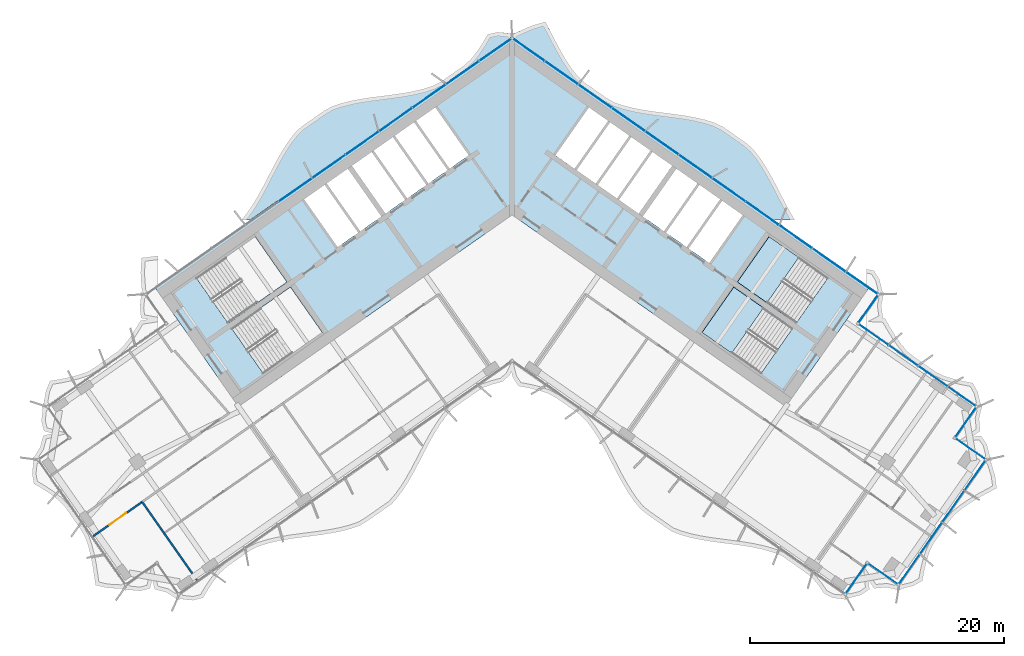
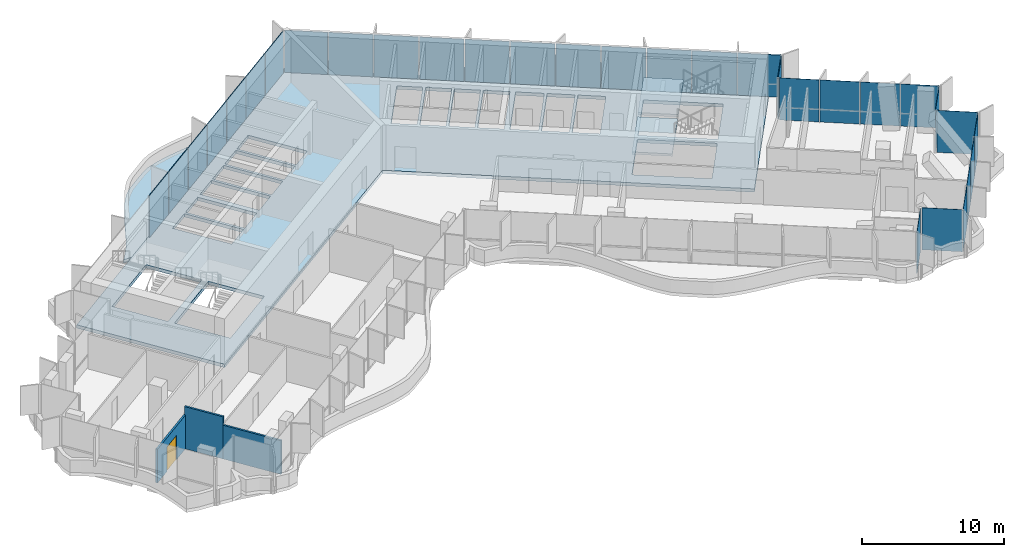
# One storey, part 13 of 23: 31 plates, 4 slabs, 3 walls, 1 door, 1 opening, 4 elements without a shape of their own.
"""IFC4 building model written with IfcOpenShell, lengths in metres."""

from ifc_helpers import new_model, si_unit, direction, frame, frame_2d, origin, origin_2d, place, context, subcontext, project, spatial, polyline, rectangle, outline, extrude, material, layer, layer_set, type_object, element, fill, aggregate, save


model = new_model("IFC4")

# Units and contexts
model_context = context("Model", 3, precision=1e-05, world=origin(), true_north=direction((0.0, 1.0)))
body_context = subcontext(model_context, "Body", "Model", "MODEL_VIEW")
ifc_project = project(units=[si_unit("LENGTHUNIT", "METRE"), si_unit("AREAUNIT", "SQUARE_METRE"), si_unit("VOLUMEUNIT", "CUBIC_METRE"), si_unit("PLANEANGLEUNIT", "RADIAN"), si_unit("MASSUNIT", "GRAM", prefix="KILO")], contexts=[model_context])

# Site, building, storey
site_placement = place(None, origin())
site = spatial("IfcSite", under=ifc_project, at=site_placement, CompositionType="ELEMENT")
building_placement = place(site_placement, origin())
building = spatial("IfcBuilding", under=site, at=building_placement, Name="Tel Ilan Convention Tower", CompositionType="ELEMENT")
storey_placement = place(building_placement, frame((0.0, 0.0, 186.60009765625)))
storey = spatial("IfcBuildingStorey", under=building, at=storey_placement, Name="L43", CompositionType="ELEMENT", Elevation=186.60009765625)

# Curtain wall, plates
ifc_material_1 = material(Name="Aluminium, bronze anodised", Category="aluminium")
curtain_wall_type_1 = type_object("IfcCurtainWallType", Name="CW4 STICK CURTAIN WALL, OFFICE TINTED GLASS", PredefinedType="NOTDEFINED", material=ifc_material_1)
curtain_wall_1_placement = place(storey_placement, origin())
curtain_wall_1 = element("IfcCurtainWall", 1, at=curtain_wall_1_placement, inside=storey, type_object=curtain_wall_type_1, Name="Curtain wall CW4-33.02", PredefinedType="NOTDEFINED")
ifc_material_2 = material(Name="Glass, bronze tinted, two-ply", Category="glass")
ifc_layer_1 = layer(ifc_material_2, 0.028076171875)
ifc_layer_set_1 = layer_set([ifc_layer_1], Name="CW GLASS PANEL 28")
plate_type_1 = type_object("IfcPlateType", Name="CW GLASS PANEL 28", PredefinedType="CURTAIN_PANEL", material=ifc_layer_set_1)
plate_1_placement = place(storey_placement, frame((27.065673828125, -29.863525390625, -0.000244140625), z_axis=(0.0, 0.0, 1.0), x_axis=(0.573576436351, 0.819152044289, 0.0)))
plate_1 = element("IfcPlate", 2, at=plate_1_placement, type_object=plate_type_1, Name="Glass panel", PredefinedType="CURTAIN_PANEL", context=body_context, shape_type="SweptSolid", body=[
    extrude(rectangle(XDim=2.875, YDim=0.028076171875, at=origin_2d()), origin(), (0.0, 0.0, 1.0), 3.6201171875),
])
plate_2_placement = place(storey_placement, frame((29.20849609375, -29.48583984375, -0.000244140625), z_axis=(0.0, 0.0, 1.0), x_axis=(0.819152044289, -0.573576436351, 0.0)))
plate_2 = element("IfcPlate", 3, at=plate_2_placement, type_object=plate_type_1, Name="Glass panel", PredefinedType="CURTAIN_PANEL", context=body_context, shape_type="SweptSolid", body=[
    extrude(rectangle(XDim=2.875, YDim=0.028076171875, at=origin_2d()), origin(), (0.0, 0.0, 1.0), 3.6201171875),
])
plate_3_placement = place(storey_placement, frame((31.25, -29.1181640625, -0.000244140625), z_axis=(0.0, 0.0, 1.0), x_axis=(0.573576436351, 0.819152044289, 0.0)))
plate_3 = element("IfcPlate", 4, at=plate_3_placement, type_object=plate_type_1, Name="Glass panel", PredefinedType="CURTAIN_PANEL", context=body_context, shape_type="SweptSolid", body=[
    extrude(rectangle(XDim=2.89599609375, YDim=0.028076171875, at=origin_2d()), origin(), (0.0, 0.0, 1.0), 3.6201171875),
])
plate_4_placement = place(storey_placement, frame((32.972412109375, -26.658203125, -0.000244140625), z_axis=(0.0, 0.0, 1.0), x_axis=(0.573576436351, 0.819152044289, 0.0)))
plate_4 = element("IfcPlate", 5, at=plate_4_placement, type_object=plate_type_1, Name="Glass panel", PredefinedType="CURTAIN_PANEL", context=body_context, shape_type="SweptSolid", body=[
    extrude(rectangle(XDim=2.989990234375, YDim=0.028076171875, at=origin_2d()), origin(), (0.0, 0.0, 1.0), 3.6201171875),
])
plate_5_placement = place(storey_placement, frame((34.721923828125, -24.159912109375, -0.000244140625), z_axis=(0.0, 0.0, 1.0), x_axis=(0.573576436351, 0.819152044289, 0.0)))
plate_5 = element("IfcPlate", 6, at=plate_5_placement, type_object=plate_type_1, Name="Glass panel", PredefinedType="CURTAIN_PANEL", context=body_context, shape_type="SweptSolid", body=[
    extrude(rectangle(XDim=2.989990234375, YDim=0.028076171875, at=origin_2d()), origin(), (0.0, 0.0, 1.0), 3.6201171875),
])
plate_6_placement = place(storey_placement, frame((36.4443359375, -21.699951171875, -0.000244140625), z_axis=(0.0, 0.0, 1.0), x_axis=(0.573576436351, 0.819152044289, 0.0)))
plate_6 = element("IfcPlate", 7, at=plate_6_placement, type_object=plate_type_1, Name="Glass panel", PredefinedType="CURTAIN_PANEL", context=body_context, shape_type="SweptSolid", body=[
    extrude(rectangle(XDim=2.89599609375, YDim=0.028076171875, at=origin_2d()), origin(), (0.0, 0.0, 1.0), 3.6201171875),
])
plate_7_placement = place(storey_placement, frame((36.09130859375, -19.656005859375, -0.000244140625), z_axis=(0.0, 0.0, 1.0), x_axis=(-0.819152044289, 0.573576436351, 0.0)))
plate_7 = element("IfcPlate", 8, at=plate_7_placement, type_object=plate_type_1, Name="Glass panel", PredefinedType="CURTAIN_PANEL", context=body_context, shape_type="SweptSolid", body=[
    extrude(rectangle(XDim=2.875, YDim=0.028076171875, at=origin_2d()), origin(), (0.0, 0.0, 1.0), 3.6201171875),
])
plate_8_placement = place(storey_placement, frame((35.713623046875, -17.51318359375, -0.000244140625), z_axis=(0.0, 0.0, 1.0), x_axis=(0.573576436351, 0.819152044289, 0.0)))
plate_8 = element("IfcPlate", 9, at=plate_8_placement, type_object=plate_type_1, Name="Glass panel", PredefinedType="CURTAIN_PANEL", context=body_context, shape_type="SweptSolid", body=[
    extrude(rectangle(XDim=2.875, YDim=0.028076171875, at=origin_2d()), origin(), (0.0, 0.0, 1.0), 3.6201171875),
])
plate_9_placement = place(storey_placement, frame((35.427978515625, -15.529052734375, -0.000244140625), z_axis=(0.0, 0.0, 1.0), x_axis=(-0.819152044289, 0.573576436351, 0.0)))
plate_9 = element("IfcPlate", 10, at=plate_9_placement, type_object=plate_type_1, Name="Glass panel", PredefinedType="CURTAIN_PANEL", context=body_context, shape_type="SweptSolid", body=[
    extrude(rectangle(XDim=2.696044921875, YDim=0.028076171875, at=origin_2d()), origin(), (0.0, 0.0, 1.0), 3.6201171875),
])
plate_10_placement = place(storey_placement, frame((33.1318359375, -13.92138671875, -0.000244140625), z_axis=(0.0, 0.0, 1.0), x_axis=(-0.819152044289, 0.573576436351, 0.0)))
plate_10 = element("IfcPlate", 11, at=plate_10_placement, type_object=plate_type_1, Name="Glass panel", PredefinedType="CURTAIN_PANEL", context=body_context, shape_type="SweptSolid", body=[
    extrude(rectangle(XDim=2.7900390625, YDim=0.028076171875, at=origin_2d()), origin(), (0.0, 0.0, 1.0), 3.6201171875),
])
plate_11_placement = place(storey_placement, frame((30.79736328125, -12.28662109375, -0.000244140625), z_axis=(0.0, 0.0, 1.0), x_axis=(-0.819152044289, 0.573576436351, 0.0)))
plate_11 = element("IfcPlate", 12, at=plate_11_placement, type_object=plate_type_1, Name="Glass panel", PredefinedType="CURTAIN_PANEL", context=body_context, shape_type="SweptSolid", body=[
    extrude(rectangle(XDim=2.7900390625, YDim=0.028076171875, at=origin_2d()), origin(), (0.0, 0.0, 1.0), 3.6201171875),
])
plate_12_placement = place(storey_placement, frame((28.450927734375, -10.6435546875, -0.000244140625), z_axis=(0.0, 0.0, 1.0), x_axis=(-0.819152044289, 0.573576436351, 0.0)))
plate_12 = element("IfcPlate", 13, at=plate_12_placement, type_object=plate_type_1, Name="Glass panel", PredefinedType="CURTAIN_PANEL", context=body_context, shape_type="SweptSolid", body=[
    extrude(rectangle(XDim=2.819091796875, YDim=0.028076171875, at=origin_2d()), origin(), (0.0, 0.0, 1.0), 3.6201171875),
])
aggregate(curtain_wall_1, [plate_1, plate_2, plate_3, plate_4, plate_5, plate_6, plate_7, plate_8, plate_9, plate_10, plate_11, plate_12])

ifc_material_3 = material(Name="Aluminium, bronze anodised", Category="aluminium")
curtain_wall_type_2 = type_object("IfcCurtainWallType", Name="CW2 STICK CURTAIN WALL, SPANDREL PANELS", PredefinedType="NOTDEFINED", material=ifc_material_3)
curtain_wall_2_placement = place(storey_placement, origin())
curtain_wall_2 = element("IfcCurtainWall", 14, at=curtain_wall_2_placement, inside=storey, type_object=curtain_wall_type_2, Name="Curtain wall CW2-33.01", PredefinedType="NOTDEFINED")
ifc_material_4 = material(Name="Aluminium composite panel, bronze anodised", Category="aluminium")
ifc_layer_2 = layer(ifc_material_4, 0.06005859375)
ifc_layer_set_2 = layer_set([ifc_layer_2], Name="CW SPANDREL PANEL 60")
plate_type_2 = type_object("IfcPlateType", Name="CW SPANDREL PANEL 60", PredefinedType="CURTAIN_PANEL", material=ifc_layer_set_2)
plate_13_placement = place(storey_placement, frame((28.033935546875, -8.60546875, -0.000244140625), z_axis=(0.0, 0.0, 1.0), x_axis=(0.573576436351, 0.819152044289, 0.0)))
plate_13 = element("IfcPlate", 15, at=plate_13_placement, type_object=plate_type_2, Name="Spandrel panel", PredefinedType="CURTAIN_PANEL", context=body_context, shape_type="SweptSolid", body=[
    extrude(rectangle(XDim=2.658935546875, YDim=0.06005859375, at=origin_2d()), origin(), (0.0, 0.0, 1.0), 3.6201171875),
])
plate_14_placement = place(storey_placement, frame((27.5400390625, -6.587646484375, -0.000244140625), z_axis=(0.0, 0.0, 1.0), x_axis=(-0.819152044289, 0.573576436351, 0.0)))
plate_14 = element("IfcPlate", 16, at=plate_14_placement, type_object=plate_type_2, Name="Spandrel panel", PredefinedType="CURTAIN_PANEL", context=body_context, shape_type="SweptSolid", body=[
    extrude(rectangle(XDim=3.0439453125, YDim=0.06005859375, at=origin_2d()), origin(), (0.0, 0.0, 1.0), 3.6201171875),
])
plate_15_placement = place(storey_placement, frame((24.95263671875, -4.77587890625, -0.000244140625), z_axis=(0.0, 0.0, 1.0), x_axis=(-0.819152044289, 0.573576436351, 0.0)))
plate_15 = element("IfcPlate", 17, at=plate_15_placement, type_object=plate_type_2, Name="Spandrel panel", PredefinedType="CURTAIN_PANEL", context=body_context, shape_type="SweptSolid", body=[
    extrude(rectangle(XDim=3.15380859375, YDim=0.06005859375, at=origin_2d()), origin(), (0.0, 0.0, 1.0), 3.6201171875),
])
plate_16_placement = place(storey_placement, frame((22.31982421875, -2.9326171875, -0.000244140625), z_axis=(0.0, 0.0, 1.0), x_axis=(-0.819152044289, 0.573576436351, 0.0)))
plate_16 = element("IfcPlate", 18, at=plate_16_placement, type_object=plate_type_2, Name="Spandrel panel", PredefinedType="CURTAIN_PANEL", context=body_context, shape_type="SweptSolid", body=[
    extrude(rectangle(XDim=3.15380859375, YDim=0.06005859375, at=origin_2d()), origin(), (0.0, 0.0, 1.0), 3.6201171875),
])
plate_17_placement = place(storey_placement, frame((19.687255859375, -1.089111328125, -0.000244140625), z_axis=(0.0, 0.0, 1.0), x_axis=(-0.819152044289, 0.573576436351, 0.0)))
plate_17 = element("IfcPlate", 19, at=plate_17_placement, type_object=plate_type_2, Name="Spandrel panel", PredefinedType="CURTAIN_PANEL", context=body_context, shape_type="SweptSolid", body=[
    extrude(rectangle(XDim=3.15380859375, YDim=0.06005859375, at=origin_2d()), origin(), (0.0, 0.0, 1.0), 3.6201171875),
])
plate_18_placement = place(storey_placement, frame((17.0546875, 0.754150390625, -0.000244140625), z_axis=(0.0, 0.0, 1.0), x_axis=(-0.819152044289, 0.573576436351, 0.0)))
plate_18 = element("IfcPlate", 20, at=plate_18_placement, type_object=plate_type_2, Name="Spandrel panel", PredefinedType="CURTAIN_PANEL", context=body_context, shape_type="SweptSolid", body=[
    extrude(rectangle(XDim=3.15380859375, YDim=0.06005859375, at=origin_2d()), origin(), (0.0, 0.0, 1.0), 3.6201171875),
])
plate_19_placement = place(storey_placement, frame((14.422119140625, 2.59765625, -0.000244140625), z_axis=(0.0, 0.0, 1.0), x_axis=(-0.819152044289, 0.573576436351, 0.0)))
plate_19 = element("IfcPlate", 21, at=plate_19_placement, type_object=plate_type_2, Name="Spandrel panel", PredefinedType="CURTAIN_PANEL", context=body_context, shape_type="SweptSolid", body=[
    extrude(rectangle(XDim=3.15380859375, YDim=0.06005859375, at=origin_2d()), origin(), (0.0, 0.0, 1.0), 3.6201171875),
])
plate_20_placement = place(storey_placement, frame((11.789306640625, 4.44091796875, -0.000244140625), z_axis=(0.0, 0.0, 1.0), x_axis=(-0.819152044289, 0.573576436351, 0.0)))
plate_20 = element("IfcPlate", 22, at=plate_20_placement, type_object=plate_type_2, Name="Spandrel panel", PredefinedType="CURTAIN_PANEL", context=body_context, shape_type="SweptSolid", body=[
    extrude(rectangle(XDim=3.15380859375, YDim=0.06005859375, at=origin_2d()), origin(), (0.0, 0.0, 1.0), 3.6201171875),
])
plate_21_placement = place(storey_placement, frame((9.15673828125, 6.284423828125, -0.000244140625), z_axis=(0.0, 0.0, 1.0), x_axis=(-0.819152044289, 0.573576436351, 0.0)))
plate_21 = element("IfcPlate", 23, at=plate_21_placement, type_object=plate_type_2, Name="Spandrel panel", PredefinedType="CURTAIN_PANEL", context=body_context, shape_type="SweptSolid", body=[
    extrude(rectangle(XDim=3.15380859375, YDim=0.06005859375, at=origin_2d()), origin(), (0.0, 0.0, 1.0), 3.6201171875),
])
plate_22_placement = place(storey_placement, frame((6.524169921875, 8.127685546875, -0.000244140625), z_axis=(0.0, 0.0, 1.0), x_axis=(-0.819152044289, 0.573576436351, 0.0)))
plate_22 = element("IfcPlate", 24, at=plate_22_placement, type_object=plate_type_2, Name="Spandrel panel", PredefinedType="CURTAIN_PANEL", context=body_context, shape_type="SweptSolid", body=[
    extrude(rectangle(XDim=3.15380859375, YDim=0.06005859375, at=origin_2d()), origin(), (0.0, 0.0, 1.0), 3.6201171875),
])
plate_23_placement = place(storey_placement, frame((3.8916015625, 9.97119140625, -0.000244140625), z_axis=(0.0, 0.0, 1.0), x_axis=(-0.819152044289, 0.573576436351, 0.0)))
plate_23 = element("IfcPlate", 25, at=plate_23_placement, type_object=plate_type_2, Name="Spandrel panel", PredefinedType="CURTAIN_PANEL", context=body_context, shape_type="SweptSolid", body=[
    extrude(rectangle(XDim=3.15380859375, YDim=0.06005859375, at=origin_2d()), origin(), (0.0, 0.0, 1.0), 3.6201171875),
])
plate_24_placement = place(storey_placement, frame((1.303955078125, 11.782958984375, -0.000244140625), z_axis=(0.0, 0.0, 1.0), x_axis=(-0.819152044289, 0.573576436351, 0.0)))
plate_24 = element("IfcPlate", 26, at=plate_24_placement, type_object=plate_type_2, Name="Spandrel panel", PredefinedType="CURTAIN_PANEL", context=body_context, shape_type="SweptSolid", body=[
    extrude(rectangle(XDim=3.0439453125, YDim=0.06005859375, at=origin_2d()), origin(), (0.0, 0.0, 1.0), 3.6201171875),
])
plate_25_placement = place(storey_placement, frame((-1.303955078125, 11.782958984375, -0.000244140625), z_axis=(0.0, 0.0, 1.0), x_axis=(-0.819152044289, -0.573576436351, 0.0)))
plate_25 = element("IfcPlate", 27, at=plate_25_placement, type_object=plate_type_2, Name="Spandrel panel", PredefinedType="CURTAIN_PANEL", context=body_context, shape_type="SweptSolid", body=[
    extrude(rectangle(XDim=3.0439453125, YDim=0.06005859375, at=origin_2d()), origin(), (0.0, 0.0, 1.0), 3.6201171875),
])
plate_26_placement = place(storey_placement, frame((-3.8916015625, 9.97119140625, -0.000244140625), z_axis=(0.0, 0.0, 1.0), x_axis=(-0.819152044289, -0.573576436351, 0.0)))
plate_26 = element("IfcPlate", 28, at=plate_26_placement, type_object=plate_type_2, Name="Spandrel panel", PredefinedType="CURTAIN_PANEL", context=body_context, shape_type="SweptSolid", body=[
    extrude(rectangle(XDim=3.15380859375, YDim=0.06005859375, at=origin_2d()), origin(), (0.0, 0.0, 1.0), 3.6201171875),
])
plate_27_placement = place(storey_placement, frame((-6.524169921875, 8.127685546875, -0.000244140625), z_axis=(0.0, 0.0, 1.0), x_axis=(-0.819152044289, -0.573576436351, 0.0)))
plate_27 = element("IfcPlate", 29, at=plate_27_placement, type_object=plate_type_2, Name="Spandrel panel", PredefinedType="CURTAIN_PANEL", context=body_context, shape_type="SweptSolid", body=[
    extrude(rectangle(XDim=3.15380859375, YDim=0.06005859375, at=origin_2d()), origin(), (0.0, 0.0, 1.0), 3.6201171875),
])
plate_28_placement = place(storey_placement, frame((-9.15673828125, 6.284423828125, -0.000244140625), z_axis=(0.0, 0.0, 1.0), x_axis=(-0.819152044289, -0.573576436351, 0.0)))
plate_28 = element("IfcPlate", 30, at=plate_28_placement, type_object=plate_type_2, Name="Spandrel panel", PredefinedType="CURTAIN_PANEL", context=body_context, shape_type="SweptSolid", body=[
    extrude(rectangle(XDim=3.15380859375, YDim=0.06005859375, at=origin_2d()), origin(), (0.0, 0.0, 1.0), 3.6201171875),
])
plate_29_placement = place(storey_placement, frame((-11.789306640625, 4.44091796875, -0.000244140625), z_axis=(0.0, 0.0, 1.0), x_axis=(-0.819152044289, -0.573576436351, 0.0)))
plate_29 = element("IfcPlate", 31, at=plate_29_placement, type_object=plate_type_2, Name="Spandrel panel", PredefinedType="CURTAIN_PANEL", context=body_context, shape_type="SweptSolid", body=[
    extrude(rectangle(XDim=3.15380859375, YDim=0.06005859375, at=origin_2d()), origin(), (0.0, 0.0, 1.0), 3.6201171875),
])
plate_30_placement = place(storey_placement, frame((-14.422119140625, 2.59765625, -0.000244140625), z_axis=(0.0, 0.0, 1.0), x_axis=(-0.819152044289, -0.573576436351, 0.0)))
plate_30 = element("IfcPlate", 32, at=plate_30_placement, type_object=plate_type_2, Name="Spandrel panel", PredefinedType="CURTAIN_PANEL", context=body_context, shape_type="SweptSolid", body=[
    extrude(rectangle(XDim=3.15380859375, YDim=0.06005859375, at=origin_2d()), origin(), (0.0, 0.0, 1.0), 3.6201171875),
])
plate_31_placement = place(storey_placement, frame((-17.0546875, 0.754150390625, -0.000244140625), z_axis=(0.0, 0.0, 1.0), x_axis=(-0.819152044289, -0.573576436351, 0.0)))
plate_31 = element("IfcPlate", 33, at=plate_31_placement, type_object=plate_type_2, Name="Spandrel panel", PredefinedType="CURTAIN_PANEL", context=body_context, shape_type="SweptSolid", body=[
    extrude(rectangle(XDim=3.15380859375, YDim=0.06005859375, at=origin_2d()), origin(), (0.0, 0.0, 1.0), 3.6201171875),
])
aggregate(curtain_wall_2, [plate_13, plate_14, plate_15, plate_16, plate_17, plate_18, plate_19, plate_20, plate_21, plate_22, plate_23, plate_24, plate_25, plate_26, plate_27, plate_28, plate_29, plate_30, plate_31])

# Stair, slab
ifc_material_5 = material(Name="Concrete C40/50", Category="concrete")
stair_type = type_object("IfcStairType", Name="Pressurised Exit Stair 22 risers 177 mm", PredefinedType="HALF_TURN_STAIR", material=ifc_material_5)
stair_1_placement = place(storey_placement, origin())
stair_1 = element("IfcStair", 34, at=stair_1_placement, inside=storey, type_object=stair_type, Name="L43 Pressurised Stair S3", PredefinedType="HALF_TURN_STAIR")
ifc_material_6 = material(Name="Concrete C40/50", Category="concrete")
ifc_layer_3 = layer(ifc_material_6, 0.199951171875)
ifc_layer_set_3 = layer_set([ifc_layer_3], Name="Concrete Stair Landing 200 mm C40/50")
slab_type_1 = type_object("IfcSlabType", Name="Concrete Stair Landing 200 mm", PredefinedType="LANDING", material=ifc_layer_set_3)
slab_1_placement = place(storey_placement, frame((0.0, 0.0, 1.75)))
slab_1 = element("IfcSlab", 35, at=slab_1_placement, type_object=slab_type_1, Name="S3 landing 1", PredefinedType="LANDING", context=body_context, shape_type="SweptSolid", body=[
    extrude(outline(polyline([(22.561767578125, -4.566650390625), (20.226318359375, -2.931640625), (17.7314453125, -6.494873046875), (20.066650390625, -8.130126953125), (22.561767578125, -4.566650390625)])), origin(), (0.0, 0.0, 1.0), 0.199951171875),
])
aggregate(stair_1, [slab_1])

stair_2_placement = place(storey_placement, origin())
stair_2 = element("IfcStair", 36, at=stair_2_placement, inside=storey, type_object=stair_type, Name="L43 Pressurised Stair S4", PredefinedType="HALF_TURN_STAIR")
slab_2_placement = place(storey_placement, frame((0.0, 0.0, 1.75)))
slab_2 = element("IfcSlab", 37, at=slab_2_placement, type_object=slab_type_1, Name="S4 landing 1", PredefinedType="LANDING", context=body_context, shape_type="SweptSolid", body=[
    extrude(outline(polyline([(19.77978515625, -8.53955078125), (17.444580078125, -6.904541015625), (14.949462890625, -10.4677734375), (17.28466796875, -12.10302734375), (19.77978515625, -8.53955078125)])), origin(), (0.0, 0.0, 1.0), 0.199951171875),
])
aggregate(stair_2, [slab_2])

# Slabs
ifc_material_7 = material(Name="Concrete C40/50", Category="concrete")
ifc_layer_4 = layer(ifc_material_7, 0.280029296875)
ifc_layer_set_4 = layer_set([ifc_layer_4], Name="Core Floor Slab 280 mm C40/50")
slab_type_2 = type_object("IfcSlabType", Name="Core Floor Slab 280 mm C40/50", PredefinedType="FLOOR", material=ifc_layer_set_4)
slab_3_placement = place(storey_placement, frame((0.0, 0.0, -0.280029296875)))
element("IfcSlab", 38, at=slab_3_placement, inside=storey, type_object=slab_type_2, Name="L43 core floor 1", PredefinedType="FLOOR", context=body_context, shape_type="SweptSolid", body=[
    extrude(outline(polyline([(-28.1396484375, -6.885498046875), (0.0, 12.818115234375), (28.1396484375, -6.885498046875), (21.54345703125, -16.3056640625), (0.0, -1.220703125), (-21.54345703125, -16.3056640625), (-28.1396484375, -6.885498046875)]), holes=[polyline([(-14.949462890625, -10.4677734375), (-17.444580078125, -6.904541015625), (-22.072021484375, -10.144775390625), (-19.5771484375, -13.7080078125), (-14.949462890625, -10.4677734375)]), polyline([(-17.7314453125, -6.494873046875), (-20.226318359375, -2.931640625), (-24.85400390625, -6.171875), (-22.35888671875, -9.735107421875), (-17.7314453125, -6.494873046875)]), polyline([(-14.75048828125, 1.14697265625), (-16.368408203125, 0.01416015625), (-13.729736328125, -3.75390625), (-12.112060546875, -2.62109375), (-14.75048828125, 1.14697265625)]), polyline([(-12.927734375, 2.423095703125), (-14.586669921875, 1.26171875), (-11.947998046875, -2.506591796875), (-10.289306640625, -1.344970703125), (-12.927734375, 2.423095703125)]), polyline([(-11.053955078125, 3.735107421875), (-12.60009765625, 2.652587890625), (-9.961669921875, -1.115478515625), (-8.41552734375, -0.032958984375), (-11.053955078125, 3.735107421875)]), polyline([(-9.385009765625, 4.90380859375), (-10.89013671875, 3.849853515625), (-8.251708984375, 0.081787109375), (-6.74658203125, 1.1357421875), (-9.385009765625, 4.90380859375)]), polyline([(-7.716064453125, 6.072509765625), (-9.22119140625, 5.0185546875), (-6.582763671875, 1.25048828125), (-5.077392578125, 2.304443359375), (-7.716064453125, 6.072509765625)]), polyline([(-6.046875, 7.2412109375), (-7.552001953125, 6.187255859375), (-4.913818359375, 2.419189453125), (-3.408447265625, 3.47314453125), (-6.046875, 7.2412109375)]), polyline([(4.913818359375, 2.419189453125), (7.552001953125, 6.187255859375), (6.046875, 7.2412109375), (3.408447265625, 3.47314453125), (4.913818359375, 2.419189453125)]), polyline([(17.444580078125, -6.904541015625), (14.949462890625, -10.4677734375), (19.5771484375, -13.7080078125), (22.072021484375, -10.144775390625), (17.444580078125, -6.904541015625)]), polyline([(20.226318359375, -2.931640625), (17.7314453125, -6.494873046875), (22.35888671875, -9.735107421875), (24.85400390625, -6.171875), (20.226318359375, -2.931640625)]), polyline([(15.511474609375, -5.00146484375), (18.14990234375, -1.2333984375), (16.531982421875, -0.1005859375), (13.8935546875, -3.86865234375), (15.511474609375, -5.00146484375)]), polyline([(13.729736328125, -3.75390625), (16.368408203125, 0.01416015625), (14.75048828125, 1.14697265625), (12.112060546875, -2.62109375), (13.729736328125, -3.75390625)]), polyline([(11.947998046875, -2.506591796875), (14.586669921875, 1.26171875), (12.927734375, 2.423095703125), (10.289306640625, -1.344970703125), (11.947998046875, -2.506591796875)]), polyline([(9.961669921875, -1.115478515625), (12.60009765625, 2.652587890625), (11.053955078125, 3.735107421875), (8.41552734375, -0.032958984375), (9.961669921875, -1.115478515625)]), polyline([(6.74658203125, 1.1357421875), (8.251708984375, 0.081787109375), (10.89013671875, 3.849853515625), (9.385009765625, 4.90380859375), (6.74658203125, 1.1357421875)]), polyline([(5.077392578125, 2.304443359375), (6.582763671875, 1.25048828125), (9.22119140625, 5.0185546875), (7.716064453125, 6.072509765625), (5.077392578125, 2.304443359375)])]), origin(), (0.0, 0.0, 1.0), 0.280029296875),
])
ifc_material_8 = material(Name="Concrete C40/50", Category="concrete")
ifc_layer_5 = layer(ifc_material_8, 0.280029296875)
ifc_layer_set_5 = layer_set([ifc_layer_5], Name="Edge Ledge Slab 280 mm C40/50")
slab_type_3 = type_object("IfcSlabType", Name="Edge Ledge Slab 280 mm C40/50", PredefinedType="FLOOR", material=ifc_layer_set_5)
slab_4_placement = place(storey_placement, frame((0.0, 0.0, -0.280029296875)))
element("IfcSlab", 39, at=slab_4_placement, inside=storey, type_object=slab_type_3, Name="L43 edge ledge 2", PredefinedType="FLOOR", context=body_context, shape_type="SweptSolid", body=[
    extrude(outline(polyline([(-19.60009765625, 1.004150390625), (-19.217529296875, 1.741943359375), (-18.83642578125, 2.481689453125), (-18.44677734375, 3.209228515625), (-18.0390625, 3.910888671875), (-17.604736328125, 4.574951171875), (-17.13671875, 5.190185546875), (-16.6015625, 5.71044921875), (-14.791748046875, 6.977783203125), (-14.1416015625, 7.33349609375), (-13.41064453125, 7.573486328125), (-12.644287109375, 7.76318359375), (-11.849853515625, 7.91259765625), (-11.03564453125, 8.033935546875), (-10.211181640625, 8.140380859375), (-9.385986328125, 8.24609375), (-8.570068359375, 8.36474609375), (-7.7724609375, 8.509765625), (-7.002197265625, 8.693603515625), (-6.26611328125, 8.926513671875), (-5.601806640625, 9.261962890625), (-3.7919921875, 10.529296875), (-3.2421875, 11.0283203125), (-2.769287109375, 11.63671875), (-2.3310546875, 12.294921875), (-1.919921875, 12.991943359375), (-1.14208984375, 13.1650390625), (-0.172119140625, 13.06396484375), (-0.168701171875, 13.05908203125), (-0.11474609375, 13.09521484375), (0.0, 13.1181640625), (0.11474609375, 13.09521484375), (0.168701171875, 13.05908203125), (0.172119140625, 13.06396484375), (1.4794921875, 13.647216796875), (2.6162109375, 13.986328125), (3.000244140625, 13.250732421875), (3.38134765625, 12.510986328125), (3.770263671875, 11.7822265625), (4.176513671875, 11.078369140625), (4.608642578125, 10.41162109375), (5.074462890625, 9.792724609375), (5.601806640625, 9.261962890625), (7.411865234375, 7.99462890625), (8.054931640625, 7.62890625), (8.783447265625, 7.385498046875), (9.547607421875, 7.19287109375), (10.340576171875, 7.041015625), (11.15380859375, 6.91845703125), (11.977783203125, 6.811279296875), (12.80322265625, 6.7060546875), (13.6201171875, 6.588623046875), (14.419189453125, 6.44580078125), (15.191650390625, 6.2646484375), (15.929931640625, 6.03515625), (16.6015625, 5.71044921875), (18.41162109375, 4.443115234375), (18.96826171875, 3.9541015625), (19.44384765625, 3.34912109375), (19.884033203125, 2.69384765625), (20.296142578125, 1.998291015625), (20.688720703125, 1.27490234375), (21.07080078125, 0.53662109375), (21.4521484375, -0.202880859375), (21.8427734375, -0.928955078125), (22.25341796875, -1.631591796875), (20.63623046875, -1.631591796875), (0.0, 12.818115234375), (-20.63623046875, -1.631591796875), (-21.30126953125, -1.631591796875), (-20.849609375, -1.0634765625), (-20.4072265625, -0.4111328125), (-19.993408203125, 0.281982421875), (-19.60009765625, 1.004150390625)])), origin(), (0.0, 0.0, 1.0), 0.280029296875),
])

# Wall, opening, door
ifc_material_9 = material(Name="Plasterboard on Steel Studs", Category="steel")
ifc_layer_6 = layer(ifc_material_9, 0.14990234375)
ifc_layer_set_6 = layer_set([ifc_layer_6], Name="Fire-rated Partition 150 EI 60")
wall_type = type_object("IfcWallType", Name="Fire-rated Partition 150 EI 60", PredefinedType="PARTITIONING", material=ifc_layer_set_6)
wall_1_placement = place(storey_placement, frame((-29.110595703125, -23.801513671875, 0.0), z_axis=(0.0, 0.0, 1.0), x_axis=(-0.819139214842, -0.573594758263, 0.0)))
wall_1 = element("IfcWall", 40, at=wall_1_placement, inside=storey, type_object=wall_type, Name="Partition 016", PredefinedType="PARTITIONING", context=body_context, shape_type="SweptSolid", body=[
    extrude(rectangle(XDim=4.701904296875, YDim=0.14990234375, at=frame_2d((2.35107421875, 0.0))), origin(), (0.0, 0.0, 1.0), 2.89990234375),
])
opening_placement = place(wall_1_placement, frame((1.551025390625, 0.0, 0.0)))
opening = element("IfcOpeningElement", 41, at=opening_placement, cuts=wall_1, Name="Opening L43-007", PredefinedType="OPENING", context=body_context, shape_type="SweptSolid", body=[
    extrude(rectangle(XDim=1.60009765625, YDim=2.10009765625, at=frame_2d((0.800048828125, 1.050048828125))), frame((0.0, 0.0849609375, 0.0), z_axis=(0.0, -1.0, 0.0), x_axis=(1.0, 0.0, 0.0)), (0.0, 0.0, 1.0), 0.169921875),
])
ifc_material_10 = material(Name="Timber Door Leaf in Steel Frame", Category="steel")
door_type = type_object("IfcDoorType", Name="Tenant Suite Entrance Fire Door 1600x2100", OperationType="NOTDEFINED", PredefinedType="DOOR", material=ifc_material_10)
door_placement = place(opening_placement, origin())
door = element("IfcDoor", 42, at=door_placement, inside=storey, type_object=door_type, Name="Door L43-007", OperationType="DOUBLE_DOOR_SINGLE_SWING", OverallHeight=2.10009765625, OverallWidth=1.60009765625, PredefinedType="DOOR", context=body_context, shape_type="SweptSolid", body=[
    extrude(rectangle(XDim=1.60009765625, YDim=2.10009765625, at=frame_2d((0.800048828125, 1.050048828125))), frame((0.0, 0.02490234375, 0.0), z_axis=(0.0, -1.0, 0.0), x_axis=(1.0, 0.0, 0.0)), (0.0, 0.0, 1.0), 0.050048828125),
])
fill(opening, door)

# Walls
wall_2_placement = place(storey_placement, frame((-24.810302734375, -29.9462890625, 0.0), z_axis=(0.0, 0.0, 1.0), x_axis=(-0.573589807488, 0.819142681555, 0.0)))
element("IfcWall", 43, at=wall_2_placement, inside=storey, type_object=wall_type, Name="Partition 043", PredefinedType="PARTITIONING", context=body_context, shape_type="SweptSolid", body=[
    extrude(rectangle(XDim=4.4990234375, YDim=0.14990234375, at=frame_2d((2.24951171875, 0.0))), origin(), (0.0, 0.0, 1.0), 2.89990234375),
])
wall_3_placement = place(storey_placement, frame((-27.3916015625, -26.26025390625, 0.0), z_axis=(0.0, 0.0, 1.0), x_axis=(-0.573560650686, 0.819163097304, 0.0)))
element("IfcWall", 44, at=wall_3_placement, inside=storey, type_object=wall_type, Name="Partition 044", PredefinedType="PARTITIONING", context=body_context, shape_type="SweptSolid", body=[
    extrude(rectangle(XDim=3.0, YDim=0.14990234375, at=frame_2d((1.5, 0.0))), origin(), (0.0, 0.0, 1.0), 3.619873046875),
])

save(model, "model.ifc")
